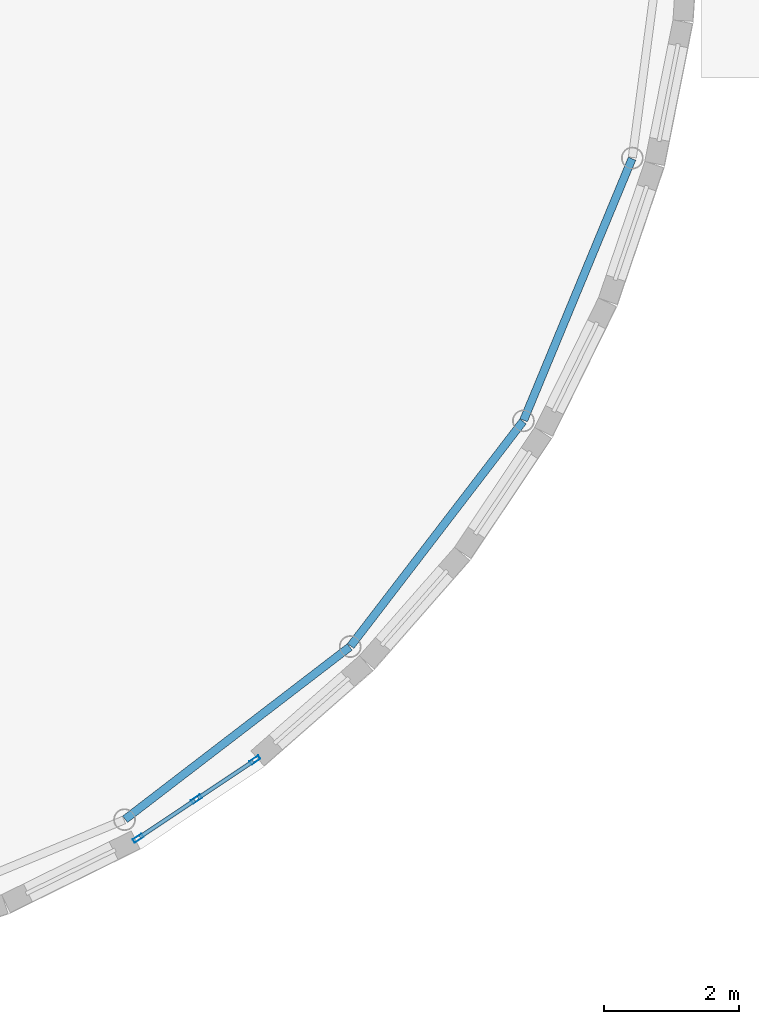
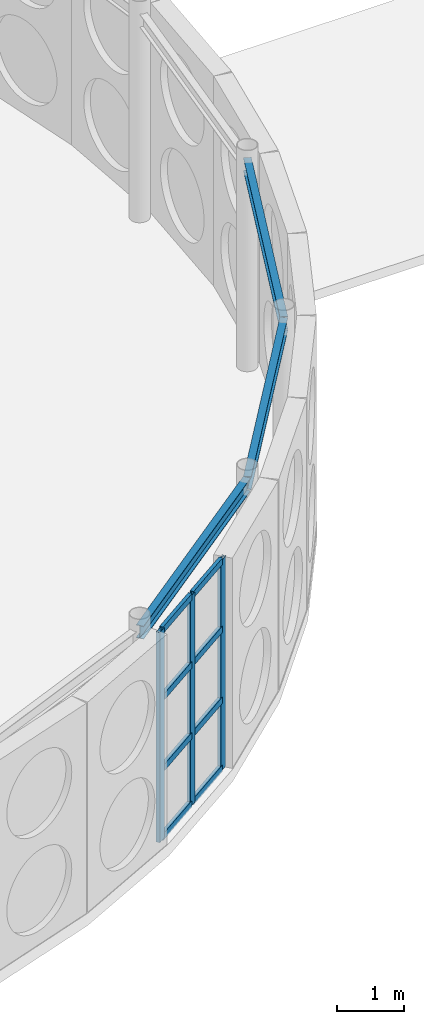
# One storey, part 50 of 189: 11 members, 3 beams, 1 element without a shape of its own.
"""IFC4 building model written with IfcOpenShell, lengths in metres."""

from ifc_helpers import new_model, si_unit, direction, frame, origin, origin_2d, place, context, subcontext, project, spatial, hollow_rectangle, i_section, extrude, material, layer, layer_set, material_profile, profile_set, type_object, element, aggregate, save


model = new_model("IFC4")

# Units and contexts
model_context = context("Model", 3, precision=1e-05, world=origin(), true_north=direction((0.0, 1.0)))
body_context = subcontext(model_context, "Body", "Model", "MODEL_VIEW")
ifc_project = project(units=[si_unit("LENGTHUNIT", "METRE"), si_unit("AREAUNIT", "SQUARE_METRE"), si_unit("VOLUMEUNIT", "CUBIC_METRE"), si_unit("PLANEANGLEUNIT", "RADIAN"), si_unit("MASSUNIT", "GRAM", prefix="KILO")], contexts=[model_context])

# Site, building, storey
site_placement = place(None, origin())
site = spatial("IfcSite", under=ifc_project, at=site_placement, CompositionType="ELEMENT")
building_placement = place(site_placement, origin())
building = spatial("IfcBuilding", under=site, at=building_placement, Name="Montecoro Central Library", CompositionType="ELEMENT")
storey_placement = place(building_placement, frame((0.0, 0.0, 9.179931640625)))
storey = spatial("IfcBuildingStorey", under=building, at=storey_placement, Name="L02", CompositionType="ELEMENT", Elevation=9.179931640625)

# Beams
ifc_material_1 = material(Name="Steel S355", Category="steel")
ifc_material_profile_1 = material_profile(ifc_material_1, i_section(OverallWidth=0.1201171875, OverallDepth=0.239990234375, WebThickness=0.006103515625, FlangeThickness=0.009765625, at=origin_2d()), Name="IPE 240")
ifc_profile_set_1 = profile_set([ifc_material_profile_1], Name="Steel S355")
beam_type = type_object("IfcBeamType", Name="BM-SP-IPE240", PredefinedType="SPANDREL", material=ifc_profile_set_1)
for number, where, z_axis, x_axis, name in (
    (1, (99.697998046875, 21.39404296875, 3.705078125), (0.793372600918, 0.608736327249, 0.0), (-0.608736327249, 0.793372600918, 0.0), "V1-L02-RING-21"),
    (2, (103.047119140625, 23.967041015625, 3.705078125), (0.608736327249, 0.793372600918, 0.0), (-0.793372600918, 0.608736327249, 0.0), "V1-L02-RING-22"),
):
    element("IfcBeam", number, at=place(storey_placement, frame(where, z_axis=z_axis, x_axis=x_axis)), inside=storey, type_object=beam_type, Name=name, PredefinedType="SPANDREL", context=body_context, shape_type="SweptSolid", body=[
        extrude(i_section(OverallWidth=0.1201171875, OverallDepth=0.239990234375, WebThickness=0.006103515625, FlangeThickness=0.009765625, at=origin_2d()), origin(), (0.0, 0.0, 1.0), 4.20361328125),
    ])
beam_placement = place(storey_placement, frame((105.615966796875, 27.319091796875, 3.705078125), z_axis=(0.382767235377, 0.923844815714, 0.0), x_axis=(-0.923844815714, 0.382767235377, 0.0)))
element("IfcBeam", 3, at=beam_placement, inside=storey, type_object=beam_type, Name="V1-L02-RING-23", PredefinedType="SPANDREL", context=body_context, shape_type="SweptSolid", body=[
    extrude(i_section(OverallWidth=0.1201171875, OverallDepth=0.239990234375, WebThickness=0.006103515625, FlangeThickness=0.009765625, at=origin_2d()), origin(), (0.0, 0.0, 1.0), 4.203857421875),
])

# Curtain wall, members
ifc_material_2 = material(Name="Bronze-anodised aluminium and low-E glazing", Category="aluminium")
ifc_layer = layer(ifc_material_2, 0.159912109375)
ifc_layer_set = layer_set([ifc_layer], Name="Bronze-anodised aluminium and low-E glazing")
curtain_wall_type = type_object("IfcCurtainWallType", Name="CWT-004", PredefinedType="NOTDEFINED", material=ifc_layer_set)
curtain_wall_placement = place(storey_placement, origin())
curtain_wall = element("IfcCurtainWall", 4, at=curtain_wall_placement, inside=storey, type_object=curtain_wall_type, Name="V1-L02-CW-41", PredefinedType="NOTDEFINED")
ifc_material_3 = material(Name="Bronze-anodised aluminium", Category="aluminium")
ifc_material_profile_2 = material_profile(ifc_material_3, hollow_rectangle(XDim=0.06005859375, YDim=0.159912109375, WallThickness=0.00390625, at=origin_2d()), Name="CWM 160x60x4.0")
ifc_profile_set_2 = profile_set([ifc_material_profile_2], Name="Bronze-anodised aluminium")
member_type_1 = type_object("IfcMemberType", Name="CWM-BRZ-60", PredefinedType="MULLION", material=ifc_profile_set_2)
member_1_placement = place(storey_placement, frame((99.891845703125, 21.11376953125, 0.0), z_axis=(0.0, 0.0, 1.0), x_axis=(-0.556097814687, 0.831116851291, 0.0)))
member_1 = element("IfcMember", 5, at=member_1_placement, type_object=member_type_1, Name="CW-004 mullion 1", PredefinedType="MULLION", context=body_context, shape_type="SweptSolid", body=[
    extrude(hollow_rectangle(XDim=0.06005859375, YDim=0.159912109375, WallThickness=0.00390625, at=origin_2d()), origin(), (0.0, 0.0, 1.0), 3.85498046875),
])
member_2_placement = place(storey_placement, frame((100.758544921875, 21.693603515625, 0.0), z_axis=(0.0, 0.0, 1.0), x_axis=(-0.556097814687, 0.831116851291, 0.0)))
member_2 = element("IfcMember", 6, at=member_2_placement, type_object=member_type_1, Name="CW-004 mullion 2", PredefinedType="MULLION", context=body_context, shape_type="SweptSolid", body=[
    extrude(hollow_rectangle(XDim=0.06005859375, YDim=0.159912109375, WallThickness=0.00390625, at=origin_2d()), origin(), (0.0, 0.0, 1.0), 3.85498046875),
])
member_3_placement = place(storey_placement, frame((101.625, 22.2734375, 0.0), z_axis=(0.0, 0.0, 1.0), x_axis=(-0.556097814687, 0.831116851291, 0.0)))
member_3 = element("IfcMember", 7, at=member_3_placement, type_object=member_type_1, Name="CW-004 mullion 3", PredefinedType="MULLION", context=body_context, shape_type="SweptSolid", body=[
    extrude(hollow_rectangle(XDim=0.06005859375, YDim=0.159912109375, WallThickness=0.00390625, at=origin_2d()), origin(), (0.0, 0.0, 1.0), 3.85498046875),
])
ifc_material_profile_3 = material_profile(ifc_material_3, hollow_rectangle(XDim=0.06005859375, YDim=0.1201171875, WallThickness=0.00390625, at=origin_2d()), Name="CWT 120x60x4.0")
ifc_profile_set_3 = profile_set([ifc_material_profile_3], Name="Bronze-anodised aluminium")
member_type_2 = type_object("IfcMemberType", Name="CWT-BRZ-60", PredefinedType="USERDEFINED", material=ifc_profile_set_3)
member_4_placement = place(storey_placement, frame((99.916748046875, 21.13037109375, 0.030029296875), z_axis=(0.831208537172, 0.555960760965, 0.0), x_axis=(-0.555960760965, 0.831208537172, 0.0)))
member_4 = element("IfcMember", 8, at=member_4_placement, type_object=member_type_2, Name="CW-004 transom 1.1", ObjectType="TRANSOM", PredefinedType="USERDEFINED", context=body_context, shape_type="SweptSolid", body=[
    extrude(hollow_rectangle(XDim=0.06005859375, YDim=0.1201171875, WallThickness=0.00390625, at=origin_2d()), origin(), (0.0, 0.0, 1.0), 0.982666015625),
])
member_5_placement = place(storey_placement, frame((99.916748046875, 21.13037109375, 1.280029296875), z_axis=(0.831208537172, 0.555960760965, 0.0), x_axis=(-0.555960760965, 0.831208537172, 0.0)))
member_5 = element("IfcMember", 9, at=member_5_placement, type_object=member_type_2, Name="CW-004 transom 1.2", ObjectType="TRANSOM", PredefinedType="USERDEFINED", context=body_context, shape_type="SweptSolid", body=[
    extrude(hollow_rectangle(XDim=0.06005859375, YDim=0.1201171875, WallThickness=0.00390625, at=origin_2d()), origin(), (0.0, 0.0, 1.0), 0.982666015625),
])
member_6_placement = place(storey_placement, frame((99.916748046875, 21.13037109375, 2.580078125), z_axis=(0.831208537172, 0.555960760965, 0.0), x_axis=(-0.555960760965, 0.831208537172, 0.0)))
member_6 = element("IfcMember", 10, at=member_6_placement, type_object=member_type_2, Name="CW-004 transom 1.3", ObjectType="TRANSOM", PredefinedType="USERDEFINED", context=body_context, shape_type="SweptSolid", body=[
    extrude(hollow_rectangle(XDim=0.06005859375, YDim=0.1201171875, WallThickness=0.00390625, at=origin_2d()), origin(), (0.0, 0.0, 1.0), 0.982666015625),
])
member_7_placement = place(storey_placement, frame((99.916748046875, 21.13037109375, 3.824951171875), z_axis=(0.831208537172, 0.555960760965, 0.0), x_axis=(-0.555960760965, 0.831208537172, 0.0)))
member_7 = element("IfcMember", 11, at=member_7_placement, type_object=member_type_2, Name="CW-004 transom 1.4", ObjectType="TRANSOM", PredefinedType="USERDEFINED", context=body_context, shape_type="SweptSolid", body=[
    extrude(hollow_rectangle(XDim=0.06005859375, YDim=0.1201171875, WallThickness=0.00390625, at=origin_2d()), origin(), (0.0, 0.0, 1.0), 0.982666015625),
])
member_8_placement = place(storey_placement, frame((100.783447265625, 21.710205078125, 0.030029296875), z_axis=(0.831131729099, 0.556075578393, 0.0), x_axis=(-0.556075578393, 0.831131729099, 0.0)))
member_8 = element("IfcMember", 12, at=member_8_placement, type_object=member_type_2, Name="CW-004 transom 2.1", ObjectType="TRANSOM", PredefinedType="USERDEFINED", context=body_context, shape_type="SweptSolid", body=[
    extrude(hollow_rectangle(XDim=0.06005859375, YDim=0.1201171875, WallThickness=0.00390625, at=origin_2d()), origin(), (0.0, 0.0, 1.0), 0.982666015625),
])
member_9_placement = place(storey_placement, frame((100.783447265625, 21.710205078125, 1.280029296875), z_axis=(0.831131729099, 0.556075578393, 0.0), x_axis=(-0.556075578393, 0.831131729099, 0.0)))
member_9 = element("IfcMember", 13, at=member_9_placement, type_object=member_type_2, Name="CW-004 transom 2.2", ObjectType="TRANSOM", PredefinedType="USERDEFINED", context=body_context, shape_type="SweptSolid", body=[
    extrude(hollow_rectangle(XDim=0.06005859375, YDim=0.1201171875, WallThickness=0.00390625, at=origin_2d()), origin(), (0.0, 0.0, 1.0), 0.982666015625),
])
member_10_placement = place(storey_placement, frame((100.783447265625, 21.710205078125, 2.580078125), z_axis=(0.831131729099, 0.556075578393, 0.0), x_axis=(-0.556075578393, 0.831131729099, 0.0)))
member_10 = element("IfcMember", 14, at=member_10_placement, type_object=member_type_2, Name="CW-004 transom 2.3", ObjectType="TRANSOM", PredefinedType="USERDEFINED", context=body_context, shape_type="SweptSolid", body=[
    extrude(hollow_rectangle(XDim=0.06005859375, YDim=0.1201171875, WallThickness=0.00390625, at=origin_2d()), origin(), (0.0, 0.0, 1.0), 0.982666015625),
])
member_11_placement = place(storey_placement, frame((100.783447265625, 21.710205078125, 3.824951171875), z_axis=(0.831131729099, 0.556075578393, 0.0), x_axis=(-0.556075578393, 0.831131729099, 0.0)))
member_11 = element("IfcMember", 15, at=member_11_placement, type_object=member_type_2, Name="CW-004 transom 2.4", ObjectType="TRANSOM", PredefinedType="USERDEFINED", context=body_context, shape_type="SweptSolid", body=[
    extrude(hollow_rectangle(XDim=0.06005859375, YDim=0.1201171875, WallThickness=0.00390625, at=origin_2d()), origin(), (0.0, 0.0, 1.0), 0.982666015625),
])
aggregate(curtain_wall, [member_1, member_2, member_3, member_4, member_5, member_6, member_7, member_8, member_9, member_10, member_11])

save(model, "model.ifc")
